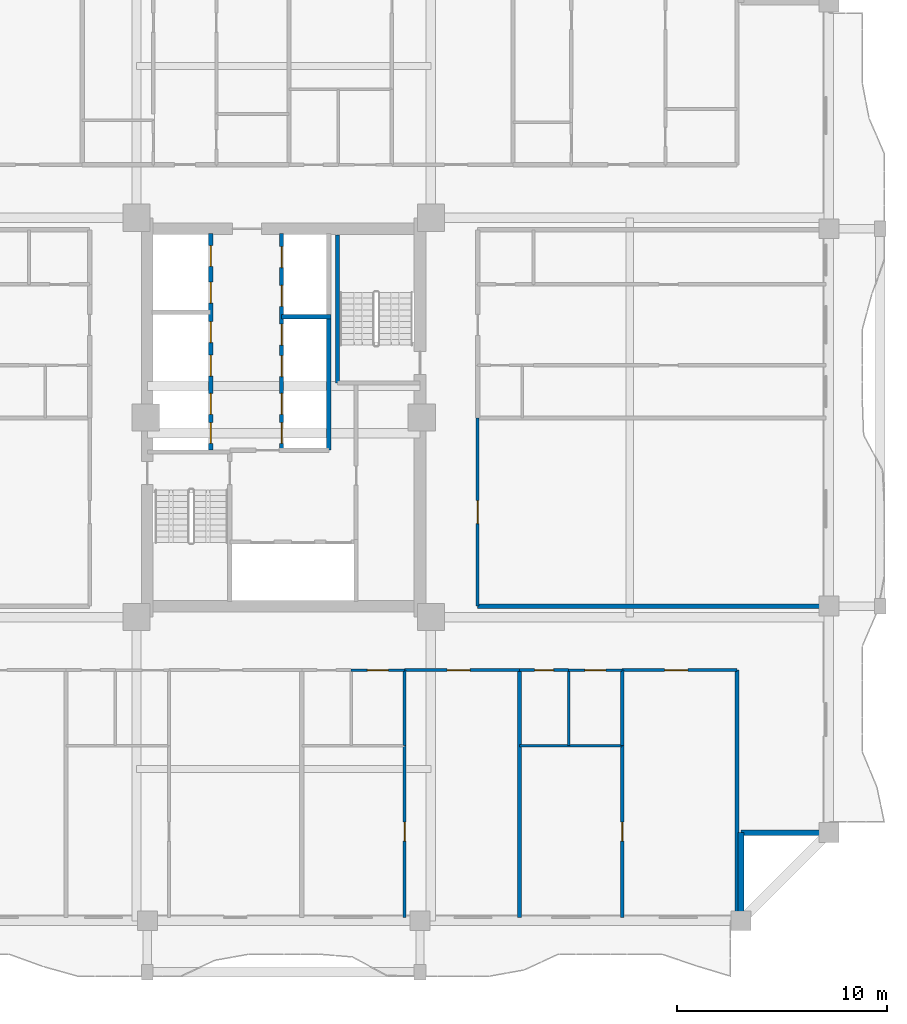
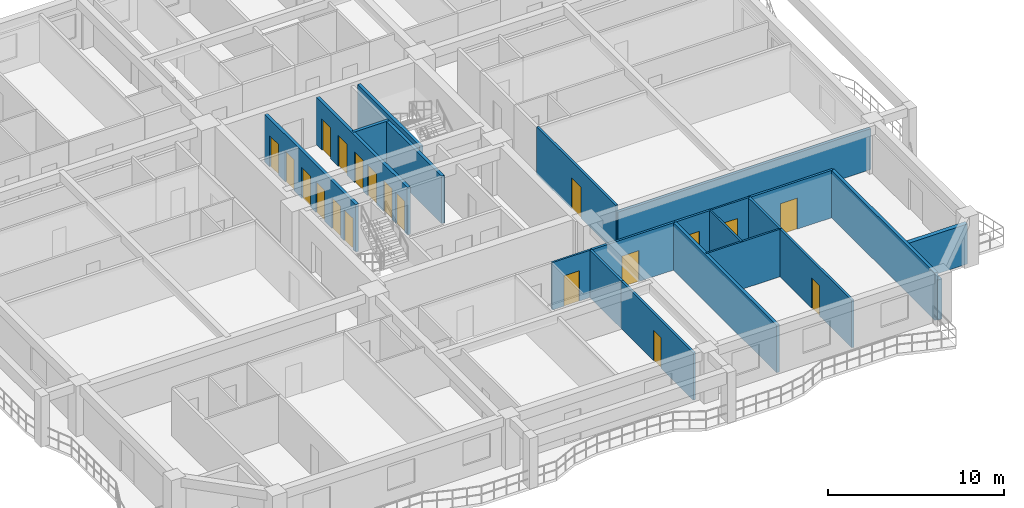
# One storey, part 4 of 17: 22 walls, 20 doors, 20 openings.
"""IFC4 building model written with IfcOpenShell, lengths in metres."""

from ifc_helpers import new_model, si_unit, direction, frame, frame_2d, origin, place, context, subcontext, project, spatial, rectangle, extrude, source, transform, mapped, material, layer, layer_set, type_object, element, fill, save


model = new_model("IFC4")

# Units and contexts
model_context = context("Model", 3, precision=1e-05, world=origin(), true_north=direction((0.0, 1.0)))
body_context = subcontext(model_context, "Body", "Model", "MODEL_VIEW")
ifc_project = project(units=[si_unit("LENGTHUNIT", "METRE"), si_unit("AREAUNIT", "SQUARE_METRE"), si_unit("VOLUMEUNIT", "CUBIC_METRE"), si_unit("PLANEANGLEUNIT", "RADIAN"), si_unit("MASSUNIT", "GRAM", prefix="KILO")], contexts=[model_context])

# Site, building, storey
site_placement = place(None, origin())
site = spatial("IfcSite", under=ifc_project, at=site_placement, CompositionType="ELEMENT")
building_placement = place(site_placement, origin())
building = spatial("IfcBuilding", under=site, at=building_placement, Name="Saelheon Loggia Tower", CompositionType="ELEMENT")
storey_placement = place(building_placement, frame((0.0, 0.0, 74.35009765625)))
storey = spatial("IfcBuildingStorey", under=building, at=storey_placement, Name="L23", CompositionType="ELEMENT", Elevation=74.35009765625)

# Walls
ifc_material_1 = material(Name="Architectural Precast Concrete C40/50", Category="concrete")
ifc_layer_1 = layer(ifc_material_1, 0.280029296875)
ifc_layer_set_1 = layer_set([ifc_layer_1], Name="Architectural Precast Concrete C40/50")
wall_type_1 = type_object("IfcWallType", Name="Wall_Ext_Loggia_280", PredefinedType="SOLIDWALL", material=ifc_layer_set_1)
for number, where, z_axis, x_axis, name in (
    (1, (59.800048828125, 3.080078125, 0.0), (0.0, 0.0, 1.0), (0.0, 1.0, 0.0), "L23 Corner Notch Precast Wall SE1"),
    (2, (59.800048828125, 7.199951171875, 0.0), (0.0, 0.0, 1.0), (1.0, 0.0, 0.0), "L23 Corner Notch Precast Wall SE2"),
):
    element("IfcWall", number, at=place(storey_placement, frame(where, z_axis=z_axis, x_axis=x_axis)), inside=storey, type_object=wall_type_1, Name=name, PredefinedType="SOLIDWALL", context=body_context, shape_type="SweptSolid", body=[
        extrude(rectangle(XDim=4.119873046875, YDim=0.280029296875, at=frame_2d((2.06005859375, 0.0))), origin(), (0.0, 0.0, 1.0), 2.77978515625),
    ])
ifc_material_2 = material(Name="Lightweight Autoclaved Aerated Concrete Block and Acoustic Gypsum", Category="concrete")
ifc_layer_2 = layer(ifc_material_2, 0.14990234375)
ifc_layer_set_2 = layer_set([ifc_layer_2], Name="Lightweight Autoclaved Aerated Concrete Block and Acoustic Gypsum")
wall_type_2 = type_object("IfcWallType", Name="Wall_Part_150", PredefinedType="PARTITIONING", material=ifc_layer_set_2)
wall_1_placement = place(storey_placement, frame((43.764892578125, 14.949951171875, 0.0), z_axis=(0.0, 0.0, 1.0), x_axis=(0.0, -1.0, 0.0)))
element("IfcWall", 3, at=wall_1_placement, inside=storey, type_object=wall_type_2, Name="L23 S Partition U20", PredefinedType="PARTITIONING", context=body_context, shape_type="SweptSolid", body=[
    extrude(rectangle(XDim=3.599853515625, YDim=0.14990234375, at=frame_2d((1.7998046875, 0.0))), origin(), (0.0, 0.0, 1.0), 3.289794921875),
])

# Wall, opening, door
wall_2_placement = place(storey_placement, frame((43.764892578125, 11.35009765625, 0.0), z_axis=(0.0, 0.0, 1.0), x_axis=(0.0, -1.0, 0.0)))
wall_2 = element("IfcWall", 4, at=wall_2_placement, inside=storey, type_object=wall_type_2, Name="L23 S Partition U21", PredefinedType="PARTITIONING", context=body_context, shape_type="SweptSolid", body=[
    extrude(rectangle(XDim=8.2001953125, YDim=0.14990234375, at=frame_2d((4.10009765625, 0.0))), origin(), (0.0, 0.0, 1.0), 3.289794921875),
])
opening_1_placement = place(wall_2_placement, frame((3.64990234375, 0.0, 0.0)))
opening_1 = element("IfcOpeningElement", 5, at=opening_1_placement, cuts=wall_2, Name="Opening D-IN2", PredefinedType="OPENING", context=body_context, shape_type="SweptSolid", body=[
    extrude(rectangle(XDim=0.89990234375, YDim=2.10009765625, at=frame_2d((0.449951171875, 1.050048828125))), frame((0.0, 0.0869140625, 0.0), z_axis=(0.0, -1.0, 0.0), x_axis=(1.0, 0.0, 0.0)), (0.0, 0.0, 1.0), 0.173828125),
])
ifc_material_3 = material(Name="Engineered Oak Flush Door", Category="timber")
door_type_1 = type_object("IfcDoorType", Name="Door_Int_900", OperationType="NOTDEFINED", PredefinedType="DOOR", material=ifc_material_3)
shared_shape_1 = source(origin(), body_context, "Body", "SweptSolid", [
    extrude(rectangle(XDim=0.89990234375, YDim=2.10009765625, at=frame_2d((0.449951171875, 1.050048828125))), frame((0.0, 0.02490234375, 0.0), z_axis=(0.0, -1.0, 0.0), x_axis=(1.0, 0.0, 0.0)), (0.0, 0.0, 1.0), 0.050048828125),
])
door_1_placement = place(opening_1_placement, origin())
door_1 = element("IfcDoor", 6, at=door_1_placement, inside=storey, type_object=door_type_1, Name="L23 Reading Alcove Door", OperationType="SINGLE_SWING_RIGHT", OverallHeight=2.10009765625, OverallWidth=0.89990234375, PredefinedType="DOOR", context=body_context, shape_type="MappedRepresentation", body=[
    mapped(shared_shape_1, transform((0.0, 0.0, 0.0), scale=1.0)),
])
fill(opening_1, door_1)

wall_3_placement = place(storey_placement, frame((43.764892578125, 14.949951171875, 0.0), z_axis=(0.0, 0.0, 1.0), x_axis=(1.0, 0.0, 0.0)))
wall_3 = element("IfcWall", 7, at=wall_3_placement, inside=storey, type_object=wall_type_2, Name="L23 S Partition V25", PredefinedType="PARTITIONING", context=body_context, shape_type="SweptSolid", body=[
    extrude(rectangle(XDim=5.4775390625, YDim=0.14990234375, at=frame_2d((2.73876953125, 0.0))), origin(), (0.0, 0.0, 1.0), 3.289794921875),
])
opening_2_placement = place(wall_3_placement, frame((2.028076171875, 0.0, 0.0)))
opening_2 = element("IfcOpeningElement", 8, at=opening_2_placement, cuts=wall_3, Name="Opening D-FD2", PredefinedType="OPENING", context=body_context, shape_type="SweptSolid", body=[
    extrude(rectangle(XDim=1.10009765625, YDim=2.14990234375, at=frame_2d((0.550048828125, 1.074951171875))), frame((0.0, 0.0869140625, 0.0), z_axis=(0.0, -1.0, 0.0), x_axis=(1.0, 0.0, 0.0)), (0.0, 0.0, 1.0), 0.173828125),
])
ifc_material_4 = material(Name="Galvanised Steel Fire Door", Category="steel")
door_type_2 = type_object("IfcDoorType", Name="Door_Fire_FD60_1100", OperationType="NOTDEFINED", PredefinedType="DOOR", material=ifc_material_4)
shared_shape_2 = source(origin(), body_context, "Body", "SweptSolid", [
    extrude(rectangle(XDim=1.10009765625, YDim=2.14990234375, at=frame_2d((0.550048828125, 1.074951171875))), frame((0.0, 0.02490234375, 0.0), z_axis=(0.0, -1.0, 0.0), x_axis=(1.0, 0.0, 0.0)), (0.0, 0.0, 1.0), 0.050048828125),
])
door_2_placement = place(opening_2_placement, origin())
door_2 = element("IfcDoor", 9, at=door_2_placement, inside=storey, type_object=door_type_2, Name="L23 Sky Community Club Hall Door A", OperationType="SINGLE_SWING_LEFT", OverallHeight=2.14990234375, OverallWidth=1.10009765625, PredefinedType="DOOR", context=body_context, shape_type="MappedRepresentation", body=[
    mapped(shared_shape_2, transform((0.0, 0.0, 0.0), scale=1.0)),
])
fill(opening_2, door_2)

# Wall
wall_4_placement = place(storey_placement, frame((54.142333984375, 14.949951171875, 0.0), z_axis=(0.0, 0.0, 1.0), x_axis=(0.0, -1.0, 0.0)))
element("IfcWall", 10, at=wall_4_placement, inside=storey, type_object=wall_type_2, Name="L23 S Partition U28", PredefinedType="PARTITIONING", context=body_context, shape_type="SweptSolid", body=[
    extrude(rectangle(XDim=3.599853515625, YDim=0.14990234375, at=frame_2d((1.7998046875, 0.0))), origin(), (0.0, 0.0, 1.0), 3.289794921875),
])

# Wall, opening, door
wall_5_placement = place(storey_placement, frame((54.142333984375, 11.35009765625, 0.0), z_axis=(0.0, 0.0, 1.0), x_axis=(0.0, -1.0, 0.0)))
wall_5 = element("IfcWall", 11, at=wall_5_placement, inside=storey, type_object=wall_type_2, Name="L23 S Partition U29", PredefinedType="PARTITIONING", context=body_context, shape_type="SweptSolid", body=[
    extrude(rectangle(XDim=8.2001953125, YDim=0.14990234375, at=frame_2d((4.10009765625, 0.0))), origin(), (0.0, 0.0, 1.0), 3.289794921875),
])
opening_3_placement = place(wall_5_placement, frame((3.64990234375, 0.0, 0.0)))
opening_3 = element("IfcOpeningElement", 12, at=opening_3_placement, cuts=wall_5, Name="Opening D-IN2", PredefinedType="OPENING", context=body_context, shape_type="SweptSolid", body=[
    extrude(rectangle(XDim=0.89990234375, YDim=2.10009765625, at=frame_2d((0.449951171875, 1.050048828125))), frame((0.0, 0.0869140625, 0.0), z_axis=(0.0, -1.0, 0.0), x_axis=(1.0, 0.0, 0.0)), (0.0, 0.0, 1.0), 0.173828125),
])
door_3_placement = place(opening_3_placement, origin())
door_3 = element("IfcDoor", 13, at=door_3_placement, inside=storey, type_object=door_type_1, Name="L23 Reading Alcove Door", OperationType="SINGLE_SWING_RIGHT", OverallHeight=2.10009765625, OverallWidth=0.89990234375, PredefinedType="DOOR", context=body_context, shape_type="MappedRepresentation", body=[
    mapped(shared_shape_1, transform((0.0, 0.0, 0.0), scale=1.0)),
])
fill(opening_3, door_3)

wall_6_placement = place(storey_placement, frame((49.242431640625, 14.949951171875, 0.0), z_axis=(0.0, 0.0, 1.0), x_axis=(1.0, 0.0, 0.0)))
wall_6 = element("IfcWall", 14, at=wall_6_placement, inside=storey, type_object=wall_type_2, Name="L23 S Partition V31", PredefinedType="PARTITIONING", context=body_context, shape_type="SweptSolid", body=[
    extrude(rectangle(XDim=2.349853515625, YDim=0.14990234375, at=frame_2d((1.1748046875, 0.0))), origin(), (0.0, 0.0, 1.0), 3.289794921875),
])
opening_4_placement = place(wall_6_placement, frame((0.72509765625, 0.0, 0.0)))
opening_4 = element("IfcOpeningElement", 15, at=opening_4_placement, cuts=wall_6, Name="Opening D-IN2", PredefinedType="OPENING", context=body_context, shape_type="SweptSolid", body=[
    extrude(rectangle(XDim=0.89990234375, YDim=2.10009765625, at=frame_2d((0.449951171875, 1.050048828125))), frame((0.0, 0.0869140625, 0.0), z_axis=(0.0, -1.0, 0.0), x_axis=(1.0, 0.0, 0.0)), (0.0, 0.0, 1.0), 0.173828125),
])
door_4_placement = place(opening_4_placement, origin())
door_4 = element("IfcDoor", 16, at=door_4_placement, inside=storey, type_object=door_type_1, Name="L23 Community Pantry Door", OperationType="SINGLE_SWING_LEFT", OverallHeight=2.10009765625, OverallWidth=0.89990234375, PredefinedType="DOOR", context=body_context, shape_type="MappedRepresentation", body=[
    mapped(shared_shape_1, transform((0.0, 0.0, 0.0), scale=1.0)),
])
fill(opening_4, door_4)

wall_7_placement = place(storey_placement, frame((54.142333984375, 14.949951171875, 0.0), z_axis=(0.0, 0.0, 1.0), x_axis=(1.0, 0.0, 0.0)))
wall_7 = element("IfcWall", 17, at=wall_7_placement, inside=storey, type_object=wall_type_2, Name="L23 S Partition V33", PredefinedType="PARTITIONING", context=body_context, shape_type="SweptSolid", body=[
    extrude(rectangle(XDim=5.477783203125, YDim=0.14990234375, at=frame_2d((2.73876953125, 0.0))), origin(), (0.0, 0.0, 1.0), 3.289794921875),
])
opening_5_placement = place(wall_7_placement, frame((2.028076171875, 0.0, 0.0)))
opening_5 = element("IfcOpeningElement", 18, at=opening_5_placement, cuts=wall_7, Name="Opening D-FD2", PredefinedType="OPENING", context=body_context, shape_type="SweptSolid", body=[
    extrude(rectangle(XDim=1.10009765625, YDim=2.14990234375, at=frame_2d((0.550048828125, 1.074951171875))), frame((0.0, 0.0869140625, 0.0), z_axis=(0.0, -1.0, 0.0), x_axis=(1.0, 0.0, 0.0)), (0.0, 0.0, 1.0), 0.173828125),
])
door_5_placement = place(opening_5_placement, origin())
door_5 = element("IfcDoor", 19, at=door_5_placement, inside=storey, type_object=door_type_2, Name="L23 Resident Seminar and Study Hall Door A", OperationType="SINGLE_SWING_LEFT", OverallHeight=2.14990234375, OverallWidth=1.10009765625, PredefinedType="DOOR", context=body_context, shape_type="MappedRepresentation", body=[
    mapped(shared_shape_2, transform((0.0, 0.0, 0.0), scale=1.0)),
])
fill(opening_5, door_5)

wall_8_placement = place(storey_placement, frame((47.25, 18.0, 0.0), z_axis=(0.0, 0.0, 1.0), x_axis=(0.0, 1.0, 0.0)))
wall_8 = element("IfcWall", 20, at=wall_8_placement, inside=storey, type_object=wall_type_2, Name="L23 E Partition V03", PredefinedType="PARTITIONING", context=body_context, shape_type="SweptSolid", body=[
    extrude(rectangle(XDim=8.97509765625, YDim=0.14990234375, at=frame_2d((4.487548828125, 0.0))), origin(), (0.0, 0.0, 1.0), 3.289794921875),
])
opening_6_placement = place(wall_8_placement, frame((3.9375, 0.0, 0.0)))
opening_6 = element("IfcOpeningElement", 21, at=opening_6_placement, cuts=wall_8, Name="Opening D-FD2", PredefinedType="OPENING", context=body_context, shape_type="SweptSolid", body=[
    extrude(rectangle(XDim=1.10009765625, YDim=2.14990234375, at=frame_2d((0.550048828125, 1.074951171875))), frame((0.0, 0.0869140625, 0.0), z_axis=(0.0, -1.0, 0.0), x_axis=(1.0, 0.0, 0.0)), (0.0, 0.0, 1.0), 0.173828125),
])
door_6_placement = place(opening_6_placement, origin())
door_6 = element("IfcDoor", 22, at=door_6_placement, inside=storey, type_object=door_type_2, Name="L23 Co-Working Open Plan Office Door A", OperationType="SINGLE_SWING_LEFT", OverallHeight=2.14990234375, OverallWidth=1.10009765625, PredefinedType="DOOR", context=body_context, shape_type="MappedRepresentation", body=[
    mapped(shared_shape_2, transform((0.0, 0.0, 0.0), scale=1.0)),
])
fill(opening_6, door_6)

# Walls
ifc_material_5 = material(Name="Double Acoustic Stud and Fireboard Partition", Category="gypsum")
ifc_layer_3 = layer(ifc_material_5, 0.199951171875)
ifc_layer_set_3 = layer_set([ifc_layer_3], Name="Double Acoustic Stud and Fireboard Partition")
wall_type_3 = type_object("IfcWallType", Name="Wall_Party_200", PredefinedType="PARTITIONING", material=ifc_layer_set_3)
for number, where, z_axis, x_axis, name in (
    (23, (59.6201171875, 14.949951171875, 0.0), (0.0, 0.0, 1.0), (0.0, -1.0, 0.0), "L23 S Partition U02"),
    (24, (49.242431640625, 14.949951171875, 0.0), (0.0, 0.0, 1.0), (0.0, -1.0, 0.0), "L23 S Partition U26"),
):
    element("IfcWall", number, at=place(storey_placement, frame(where, z_axis=z_axis, x_axis=x_axis)), inside=storey, type_object=wall_type_3, Name=name, PredefinedType="PARTITIONING", context=body_context, shape_type="SweptSolid", body=[
        extrude(rectangle(XDim=11.800048828125, YDim=0.199951171875, at=frame_2d((5.89990234375, 0.0))), origin(), (0.0, 0.0, 1.0), 3.289794921875),
    ])
wall_9_placement = place(storey_placement, frame((47.25, 18.0, 0.0), z_axis=(0.0, 0.0, 1.0), x_axis=(1.0, 0.0, 0.0)))
element("IfcWall", 25, at=wall_9_placement, inside=storey, type_object=wall_type_3, Name="L23 E Partition U01", PredefinedType="PARTITIONING", context=body_context, shape_type="SweptSolid", body=[
    extrude(rectangle(XDim=16.60009765625, YDim=0.199951171875, at=frame_2d((8.300048828125, 0.0))), origin(), (0.0, 0.0, 1.0), 2.83984375),
])
ifc_material_6 = material(Name="Concrete C40/50", Category="concrete")
ifc_layer_4 = layer(ifc_material_6, 0.199951171875)
ifc_layer_set_4 = layer_set([ifc_layer_4], Name="Concrete C40/50")
wall_type_4 = type_object("IfcWallType", Name="Wall_Shaft_200", PredefinedType="PARTITIONING", material=ifc_layer_set_4)
wall_10_placement = place(storey_placement, frame((40.14990234375, 25.43994140625, 0.0), z_axis=(0.0, 0.0, 1.0), x_axis=(0.0, 1.0, 0.0)))
element("IfcWall", 26, at=wall_10_placement, inside=storey, type_object=wall_type_4, Name="L23 Core Service Passage West Wall", PredefinedType="PARTITIONING", context=body_context, shape_type="SweptSolid", body=[
    extrude(rectangle(XDim=6.360107421875, YDim=0.199951171875, at=frame_2d((3.18017578125, 0.0))), origin(), (0.0, 0.0, 1.0), 3.289794921875),
])

# Wall, openings, doors
wall_11_placement = place(storey_placement, frame((34.52001953125, 25.43994140625, 0.0), z_axis=(0.0, 0.0, 1.0), x_axis=(0.0, 1.0, 0.0)))
wall_11 = element("IfcWall", 27, at=wall_11_placement, inside=storey, type_object=wall_type_4, Name="L23 West Passenger Lift Bank Wall", PredefinedType="PARTITIONING", context=body_context, shape_type="SweptSolid", body=[
    extrude(rectangle(XDim=10.340087890625, YDim=0.199951171875, at=frame_2d((5.169921875, 0.0))), origin(), (0.0, 0.0, 1.0), 3.289794921875),
])
opening_7_placement = place(wall_11_placement, frame((0.320068359375, 0.0, 0.0)))
opening_7 = element("IfcOpeningElement", 28, at=opening_7_placement, cuts=wall_11, Name="Opening LD1", PredefinedType="OPENING", context=body_context, shape_type="SweptSolid", body=[
    extrude(rectangle(XDim=1.0, YDim=2.14990234375, at=frame_2d((0.5, 1.074951171875))), frame((0.0, 0.112060546875, 0.0), z_axis=(0.0, -1.0, 0.0), x_axis=(1.0, 0.0, 0.0)), (0.0, 0.0, 1.0), 0.223876953125),
])
opening_8_placement = place(wall_11_placement, frame((1.7099609375, 0.0, 0.0)))
opening_8 = element("IfcOpeningElement", 29, at=opening_8_placement, cuts=wall_11, Name="Opening LD1", PredefinedType="OPENING", context=body_context, shape_type="SweptSolid", body=[
    extrude(rectangle(XDim=1.0, YDim=2.14990234375, at=frame_2d((0.5, 1.074951171875))), frame((0.0, 0.112060546875, 0.0), z_axis=(0.0, -1.0, 0.0), x_axis=(1.0, 0.0, 0.0)), (0.0, 0.0, 1.0), 0.223876953125),
])
opening_9_placement = place(wall_11_placement, frame((3.534912109375, 0.0, 0.0)))
opening_9 = element("IfcOpeningElement", 30, at=opening_9_placement, cuts=wall_11, Name="Opening LD1", PredefinedType="OPENING", context=body_context, shape_type="SweptSolid", body=[
    extrude(rectangle(XDim=1.0, YDim=2.14990234375, at=frame_2d((0.5, 1.074951171875))), frame((0.0, 0.112060546875, 0.0), z_axis=(0.0, -1.0, 0.0), x_axis=(1.0, 0.0, 0.0)), (0.0, 0.0, 1.0), 0.223876953125),
])
opening_10_placement = place(wall_11_placement, frame((5.135009765625, 0.0, 0.0)))
opening_10 = element("IfcOpeningElement", 31, at=opening_10_placement, cuts=wall_11, Name="Opening LD1", PredefinedType="OPENING", context=body_context, shape_type="SweptSolid", body=[
    extrude(rectangle(XDim=1.0, YDim=2.14990234375, at=frame_2d((0.5, 1.074951171875))), frame((0.0, 0.112060546875, 0.0), z_axis=(0.0, -1.0, 0.0), x_axis=(1.0, 0.0, 0.0)), (0.0, 0.0, 1.0), 0.223876953125),
])
opening_11_placement = place(wall_11_placement, frame((7.010009765625, 0.0, 0.0)))
opening_11 = element("IfcOpeningElement", 32, at=opening_11_placement, cuts=wall_11, Name="Opening LD1", PredefinedType="OPENING", context=body_context, shape_type="SweptSolid", body=[
    extrude(rectangle(XDim=1.0, YDim=2.14990234375, at=frame_2d((0.5, 1.074951171875))), frame((0.0, 0.112060546875, 0.0), z_axis=(0.0, -1.0, 0.0), x_axis=(1.0, 0.0, 0.0)), (0.0, 0.0, 1.0), 0.223876953125),
])
opening_12_placement = place(wall_11_placement, frame((8.760009765625, 0.0, 0.0)))
opening_12 = element("IfcOpeningElement", 33, at=opening_12_placement, cuts=wall_11, Name="Opening LD1", PredefinedType="OPENING", context=body_context, shape_type="SweptSolid", body=[
    extrude(rectangle(XDim=1.0, YDim=2.14990234375, at=frame_2d((0.5, 1.074951171875))), frame((0.0, 0.112060546875, 0.0), z_axis=(0.0, -1.0, 0.0), x_axis=(1.0, 0.0, 0.0)), (0.0, 0.0, 1.0), 0.223876953125),
])
ifc_material_7 = material(Name="Brushed Stainless Steel 304 Landing Door", Category="steel")
door_type_3 = type_object("IfcDoorType", Name="Door_Lift_LD1", OperationType="DOUBLE_DOOR_SLIDING", PredefinedType="DOOR", material=ifc_material_7)
shared_shape_3 = source(origin(), body_context, "Body", "SweptSolid", [
    extrude(rectangle(XDim=1.0, YDim=2.14990234375, at=frame_2d((0.5, 1.074951171875))), frame((0.0, 0.02490234375, 0.0), z_axis=(0.0, -1.0, 0.0), x_axis=(1.0, 0.0, 0.0)), (0.0, 0.0, 1.0), 0.050048828125),
])
door_7_placement = place(opening_7_placement, origin())
door_7 = element("IfcDoor", 34, at=door_7_placement, inside=storey, type_object=door_type_3, Name="L23 PL1 Landing Door", OperationType="DOUBLE_DOOR_SLIDING", OverallHeight=2.14990234375, OverallWidth=1.0, PredefinedType="DOOR", context=body_context, shape_type="MappedRepresentation", body=[
    mapped(shared_shape_3, transform((0.0, 0.0, 0.0), scale=1.0)),
])
fill(opening_7, door_7)
door_8_placement = place(opening_8_placement, origin())
door_8 = element("IfcDoor", 35, at=door_8_placement, inside=storey, type_object=door_type_3, Name="L23 PL2 Landing Door", OperationType="DOUBLE_DOOR_SLIDING", OverallHeight=2.14990234375, OverallWidth=1.0, PredefinedType="DOOR", context=body_context, shape_type="MappedRepresentation", body=[
    mapped(shared_shape_3, transform((0.0, 0.0, 0.0), scale=1.0)),
])
fill(opening_8, door_8)
door_9_placement = place(opening_9_placement, origin())
door_9 = element("IfcDoor", 36, at=door_9_placement, inside=storey, type_object=door_type_3, Name="L23 PL3 Landing Door", OperationType="DOUBLE_DOOR_SLIDING", OverallHeight=2.14990234375, OverallWidth=1.0, PredefinedType="DOOR", context=body_context, shape_type="MappedRepresentation", body=[
    mapped(shared_shape_3, transform((0.0, 0.0, 0.0), scale=1.0)),
])
fill(opening_9, door_9)
door_10_placement = place(opening_10_placement, origin())
door_10 = element("IfcDoor", 37, at=door_10_placement, inside=storey, type_object=door_type_3, Name="L23 PL4 Landing Door", OperationType="DOUBLE_DOOR_SLIDING", OverallHeight=2.14990234375, OverallWidth=1.0, PredefinedType="DOOR", context=body_context, shape_type="MappedRepresentation", body=[
    mapped(shared_shape_3, transform((0.0, 0.0, 0.0), scale=1.0)),
])
fill(opening_10, door_10)
door_11_placement = place(opening_11_placement, origin())
door_11 = element("IfcDoor", 38, at=door_11_placement, inside=storey, type_object=door_type_3, Name="L23 PH1 Landing Door", OperationType="DOUBLE_DOOR_SLIDING", OverallHeight=2.14990234375, OverallWidth=1.0, PredefinedType="DOOR", context=body_context, shape_type="MappedRepresentation", body=[
    mapped(shared_shape_3, transform((0.0, 0.0, 0.0), scale=1.0)),
])
fill(opening_11, door_11)
door_12_placement = place(opening_12_placement, origin())
door_12 = element("IfcDoor", 39, at=door_12_placement, inside=storey, type_object=door_type_3, Name="L23 PH2 Landing Door", OperationType="DOUBLE_DOOR_SLIDING", OverallHeight=2.14990234375, OverallWidth=1.0, PredefinedType="DOOR", context=body_context, shape_type="MappedRepresentation", body=[
    mapped(shared_shape_3, transform((0.0, 0.0, 0.0), scale=1.0)),
])
fill(opening_12, door_12)

wall_12_placement = place(storey_placement, frame((37.89990234375, 25.43994140625, 0.0), z_axis=(0.0, 0.0, 1.0), x_axis=(0.0, 1.0, 0.0)))
wall_12 = element("IfcWall", 40, at=wall_12_placement, inside=storey, type_object=wall_type_4, Name="L23 East Passenger Lift Bank Wall", PredefinedType="PARTITIONING", context=body_context, shape_type="SweptSolid", body=[
    extrude(rectangle(XDim=10.340087890625, YDim=0.199951171875, at=frame_2d((5.169921875, 0.0))), origin(), (0.0, 0.0, 1.0), 3.289794921875),
])
opening_13_placement = place(wall_12_placement, frame((0.320068359375, 0.0, 0.0)))
opening_13 = element("IfcOpeningElement", 41, at=opening_13_placement, cuts=wall_12, Name="Opening LD1", PredefinedType="OPENING", context=body_context, shape_type="SweptSolid", body=[
    extrude(rectangle(XDim=1.0, YDim=2.14990234375, at=frame_2d((0.5, 1.074951171875))), frame((0.0, 0.112060546875, 0.0), z_axis=(0.0, -1.0, 0.0), x_axis=(1.0, 0.0, 0.0)), (0.0, 0.0, 1.0), 0.223876953125),
])
opening_14_placement = place(wall_12_placement, frame((1.7099609375, 0.0, 0.0)))
opening_14 = element("IfcOpeningElement", 42, at=opening_14_placement, cuts=wall_12, Name="Opening LD1", PredefinedType="OPENING", context=body_context, shape_type="SweptSolid", body=[
    extrude(rectangle(XDim=1.0, YDim=2.14990234375, at=frame_2d((0.5, 1.074951171875))), frame((0.0, 0.112060546875, 0.0), z_axis=(0.0, -1.0, 0.0), x_axis=(1.0, 0.0, 0.0)), (0.0, 0.0, 1.0), 0.223876953125),
])
opening_15_placement = place(wall_12_placement, frame((3.510009765625, 0.0, 0.0)))
opening_15 = element("IfcOpeningElement", 43, at=opening_15_placement, cuts=wall_12, Name="Opening LD1", PredefinedType="OPENING", context=body_context, shape_type="SweptSolid", body=[
    extrude(rectangle(XDim=1.0, YDim=2.14990234375, at=frame_2d((0.5, 1.074951171875))), frame((0.0, 0.112060546875, 0.0), z_axis=(0.0, -1.0, 0.0), x_axis=(1.0, 0.0, 0.0)), (0.0, 0.0, 1.0), 0.223876953125),
])
opening_16_placement = place(wall_12_placement, frame((5.010009765625, 0.0, 0.0)))
opening_16 = element("IfcOpeningElement", 44, at=opening_16_placement, cuts=wall_12, Name="Opening LD1", PredefinedType="OPENING", context=body_context, shape_type="SweptSolid", body=[
    extrude(rectangle(XDim=1.0, YDim=2.14990234375, at=frame_2d((0.5, 1.074951171875))), frame((0.0, 0.112060546875, 0.0), z_axis=(0.0, -1.0, 0.0), x_axis=(1.0, 0.0, 0.0)), (0.0, 0.0, 1.0), 0.223876953125),
])
opening_17_placement = place(wall_12_placement, frame((6.860107421875, 0.0, 0.0)))
opening_17 = element("IfcOpeningElement", 45, at=opening_17_placement, cuts=wall_12, Name="Opening LD1", PredefinedType="OPENING", context=body_context, shape_type="SweptSolid", body=[
    extrude(rectangle(XDim=1.0, YDim=2.14990234375, at=frame_2d((0.5, 1.074951171875))), frame((0.0, 0.112060546875, 0.0), z_axis=(0.0, -1.0, 0.0), x_axis=(1.0, 0.0, 0.0)), (0.0, 0.0, 1.0), 0.223876953125),
])
opening_18_placement = place(wall_12_placement, frame((8.7099609375, 0.0, 0.0)))
opening_18 = element("IfcOpeningElement", 46, at=opening_18_placement, cuts=wall_12, Name="Opening LD1", PredefinedType="OPENING", context=body_context, shape_type="SweptSolid", body=[
    extrude(rectangle(XDim=1.0, YDim=2.14990234375, at=frame_2d((0.5, 1.074951171875))), frame((0.0, 0.112060546875, 0.0), z_axis=(0.0, -1.0, 0.0), x_axis=(1.0, 0.0, 0.0)), (0.0, 0.0, 1.0), 0.223876953125),
])
door_13_placement = place(opening_13_placement, origin())
door_13 = element("IfcDoor", 47, at=door_13_placement, inside=storey, type_object=door_type_3, Name="L23 PM1 Landing Door", OperationType="DOUBLE_DOOR_SLIDING", OverallHeight=2.14990234375, OverallWidth=1.0, PredefinedType="DOOR", context=body_context, shape_type="MappedRepresentation", body=[
    mapped(shared_shape_3, transform((0.0, 0.0, 0.0), scale=1.0)),
])
fill(opening_13, door_13)
door_14_placement = place(opening_14_placement, origin())
door_14 = element("IfcDoor", 48, at=door_14_placement, inside=storey, type_object=door_type_3, Name="L23 PM2 Landing Door", OperationType="DOUBLE_DOOR_SLIDING", OverallHeight=2.14990234375, OverallWidth=1.0, PredefinedType="DOOR", context=body_context, shape_type="MappedRepresentation", body=[
    mapped(shared_shape_3, transform((0.0, 0.0, 0.0), scale=1.0)),
])
fill(opening_14, door_14)
door_15_placement = place(opening_15_placement, origin())
door_15 = element("IfcDoor", 49, at=door_15_placement, inside=storey, type_object=door_type_3, Name="L23 PM3 Landing Door", OperationType="DOUBLE_DOOR_SLIDING", OverallHeight=2.14990234375, OverallWidth=1.0, PredefinedType="DOOR", context=body_context, shape_type="MappedRepresentation", body=[
    mapped(shared_shape_3, transform((0.0, 0.0, 0.0), scale=1.0)),
])
fill(opening_15, door_15)
door_16_placement = place(opening_16_placement, origin())
door_16 = element("IfcDoor", 50, at=door_16_placement, inside=storey, type_object=door_type_3, Name="L23 PM4 Landing Door", OperationType="DOUBLE_DOOR_SLIDING", OverallHeight=2.14990234375, OverallWidth=1.0, PredefinedType="DOOR", context=body_context, shape_type="MappedRepresentation", body=[
    mapped(shared_shape_3, transform((0.0, 0.0, 0.0), scale=1.0)),
])
fill(opening_16, door_16)
door_17_placement = place(opening_17_placement, origin())
door_17 = element("IfcDoor", 51, at=door_17_placement, inside=storey, type_object=door_type_3, Name="L23 PH3 Landing Door", OperationType="DOUBLE_DOOR_SLIDING", OverallHeight=2.14990234375, OverallWidth=1.0, PredefinedType="DOOR", context=body_context, shape_type="MappedRepresentation", body=[
    mapped(shared_shape_3, transform((0.0, 0.0, 0.0), scale=1.0)),
])
fill(opening_17, door_17)
door_18_placement = place(opening_18_placement, origin())
door_18 = element("IfcDoor", 52, at=door_18_placement, inside=storey, type_object=door_type_3, Name="L23 PH4 Landing Door", OperationType="DOUBLE_DOOR_SLIDING", OverallHeight=2.14990234375, OverallWidth=1.0, PredefinedType="DOOR", context=body_context, shape_type="MappedRepresentation", body=[
    mapped(shared_shape_3, transform((0.0, 0.0, 0.0), scale=1.0)),
])
fill(opening_18, door_18)

# Walls
wall_13_placement = place(storey_placement, frame((37.89990234375, 31.800048828125, 0.0), z_axis=(0.0, 0.0, 1.0), x_axis=(1.0, 0.0, 0.0)))
element("IfcWall", 53, at=wall_13_placement, inside=storey, type_object=wall_type_4, Name="L23 East High-Rise Shaft Divider", PredefinedType="PARTITIONING", context=body_context, shape_type="SweptSolid", body=[
    extrude(rectangle(XDim=2.35009765625, YDim=0.199951171875, at=frame_2d((1.175048828125, 0.0))), origin(), (0.0, 0.0, 1.0), 3.289794921875),
])
ifc_material_8 = material(Name="Concrete C45/55", Category="concrete")
ifc_layer_5 = layer(ifc_material_8, 0.199951171875)
ifc_layer_set_5 = layer_set([ifc_layer_5], Name="Concrete C45/55")
wall_type_5 = type_object("IfcWallType", Name="Wall_StairShaft_RC200", PredefinedType="SOLIDWALL", material=ifc_layer_set_5)
wall_14_placement = place(storey_placement, frame((40.570068359375, 28.64990234375, 0.0), z_axis=(0.0, 0.0, 1.0), x_axis=(0.0, 1.0, 0.0)))
element("IfcWall", 54, at=wall_14_placement, inside=storey, type_object=wall_type_5, Name="L23 Stair ST2 Shaft Wall", PredefinedType="SOLIDWALL", context=body_context, shape_type="SweptSolid", body=[
    extrude(rectangle(XDim=7.050048828125, YDim=0.199951171875, at=frame_2d((3.52490234375, 0.0))), origin(), (0.0, 0.0, 1.0), 3.289794921875),
])

# Wall, opening, door
ifc_material_9 = material(Name="Moisture-Resistant Cement Board Partition", Category="gypsum")
ifc_layer_6 = layer(ifc_material_9, 0.1201171875)
ifc_layer_set_6 = layer_set([ifc_layer_6], Name="Moisture-Resistant Cement Board Partition")
wall_type_6 = type_object("IfcWallType", Name="Wall_WetPart_120", PredefinedType="PARTITIONING", material=ifc_layer_set_6)
wall_15_placement = place(storey_placement, frame((41.21484375, 14.949951171875, 0.0), z_axis=(0.0, 0.0, 1.0), x_axis=(1.0, 0.0, 0.0)))
wall_15 = element("IfcWall", 55, at=wall_15_placement, inside=storey, type_object=wall_type_6, Name="L23 S Partition V24", PredefinedType="PARTITIONING", context=body_context, shape_type="SweptSolid", body=[
    extrude(rectangle(XDim=2.550048828125, YDim=0.1201171875, at=frame_2d((1.27490234375, 0.0))), origin(), (0.0, 0.0, 1.0), 3.289794921875),
])
opening_19_placement = place(wall_15_placement, frame((0.77490234375, 0.0, 0.0)))
opening_19 = element("IfcOpeningElement", 56, at=opening_19_placement, cuts=wall_15, Name="Opening D-AC1", PredefinedType="OPENING", context=body_context, shape_type="SweptSolid", body=[
    extrude(rectangle(XDim=1.0, YDim=2.10009765625, at=frame_2d((0.5, 1.050048828125))), frame((0.0, 0.072021484375, 0.0), z_axis=(0.0, -1.0, 0.0), x_axis=(1.0, 0.0, 0.0)), (0.0, 0.0, 1.0), 0.14404296875),
])
ifc_material_10 = material(Name="Accessible Laminate Flush Door", Category="timber")
door_type_4 = type_object("IfcDoorType", Name="Door_Acc_1000", OperationType="NOTDEFINED", PredefinedType="DOOR", material=ifc_material_10)
shared_shape_4 = source(origin(), body_context, "Body", "SweptSolid", [
    extrude(rectangle(XDim=1.0, YDim=2.10009765625, at=frame_2d((0.5, 1.050048828125))), frame((0.0, 0.02490234375, 0.0), z_axis=(0.0, -1.0, 0.0), x_axis=(1.0, 0.0, 0.0)), (0.0, 0.0, 1.0), 0.050048828125),
])
door_19_placement = place(opening_19_placement, origin())
door_19 = element("IfcDoor", 57, at=door_19_placement, inside=storey, type_object=door_type_4, Name="L23 Common Washroom Door", OperationType="SINGLE_SWING_RIGHT", OverallHeight=2.10009765625, OverallWidth=1.0, PredefinedType="DOOR", context=body_context, shape_type="MappedRepresentation", body=[
    mapped(shared_shape_4, transform((0.0, 0.0, 0.0), scale=1.0)),
])
fill(opening_19, door_19)

# Walls
wall_16_placement = place(storey_placement, frame((51.59228515625, 14.949951171875, 0.0), z_axis=(0.0, 0.0, 1.0), x_axis=(0.0, -1.0, 0.0)))
element("IfcWall", 58, at=wall_16_placement, inside=storey, type_object=wall_type_6, Name="L23 S Partition U27", PredefinedType="PARTITIONING", context=body_context, shape_type="SweptSolid", body=[
    extrude(rectangle(XDim=3.599853515625, YDim=0.1201171875, at=frame_2d((1.7998046875, 0.0))), origin(), (0.0, 0.0, 1.0), 3.289794921875),
])
wall_17_placement = place(storey_placement, frame((49.242431640625, 11.35009765625, 0.0), z_axis=(0.0, 0.0, 1.0), x_axis=(1.0, 0.0, 0.0)))
element("IfcWall", 59, at=wall_17_placement, inside=storey, type_object=wall_type_6, Name="L23 S Partition V30", PredefinedType="PARTITIONING", context=body_context, shape_type="SweptSolid", body=[
    extrude(rectangle(XDim=4.89990234375, YDim=0.1201171875, at=frame_2d((2.449951171875, 0.0))), origin(), (0.0, 0.0, 1.0), 3.289794921875),
])

# Wall, opening, door
wall_18_placement = place(storey_placement, frame((51.59228515625, 14.949951171875, 0.0), z_axis=(0.0, 0.0, 1.0), x_axis=(1.0, 0.0, 0.0)))
wall_18 = element("IfcWall", 60, at=wall_18_placement, inside=storey, type_object=wall_type_6, Name="L23 S Partition V32", PredefinedType="PARTITIONING", context=body_context, shape_type="SweptSolid", body=[
    extrude(rectangle(XDim=2.550048828125, YDim=0.1201171875, at=frame_2d((1.27490234375, 0.0))), origin(), (0.0, 0.0, 1.0), 3.289794921875),
])
opening_20_placement = place(wall_18_placement, frame((0.77490234375, 0.0, 0.0)))
opening_20 = element("IfcOpeningElement", 61, at=opening_20_placement, cuts=wall_18, Name="Opening D-AC1", PredefinedType="OPENING", context=body_context, shape_type="SweptSolid", body=[
    extrude(rectangle(XDim=1.0, YDim=2.10009765625, at=frame_2d((0.5, 1.050048828125))), frame((0.0, 0.072021484375, 0.0), z_axis=(0.0, -1.0, 0.0), x_axis=(1.0, 0.0, 0.0)), (0.0, 0.0, 1.0), 0.14404296875),
])
door_20_placement = place(opening_20_placement, origin())
door_20 = element("IfcDoor", 62, at=door_20_placement, inside=storey, type_object=door_type_4, Name="L23 Common Washroom Door", OperationType="SINGLE_SWING_RIGHT", OverallHeight=2.10009765625, OverallWidth=1.0, PredefinedType="DOOR", context=body_context, shape_type="MappedRepresentation", body=[
    mapped(shared_shape_4, transform((0.0, 0.0, 0.0), scale=1.0)),
])
fill(opening_20, door_20)

save(model, "model.ifc")
